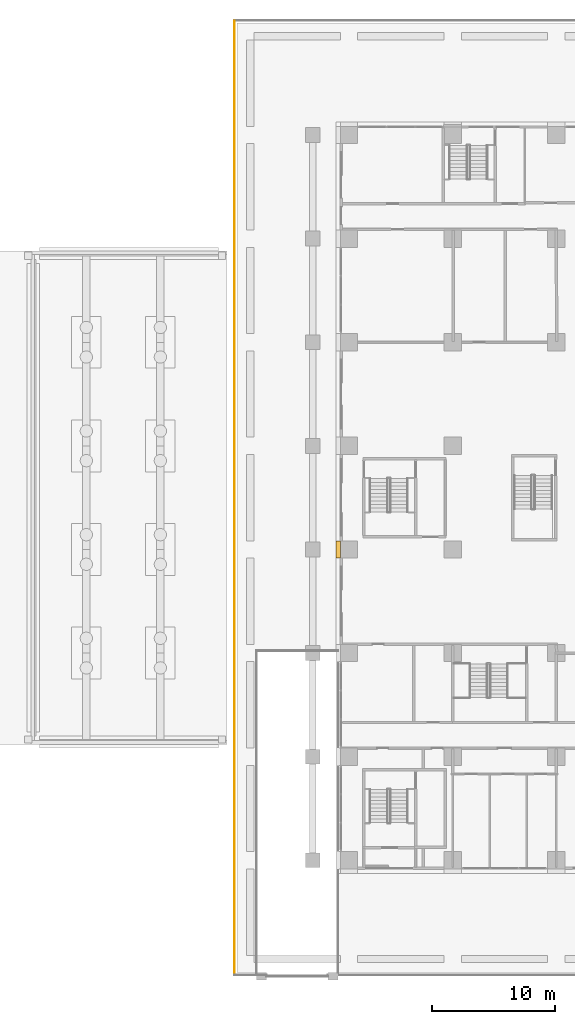
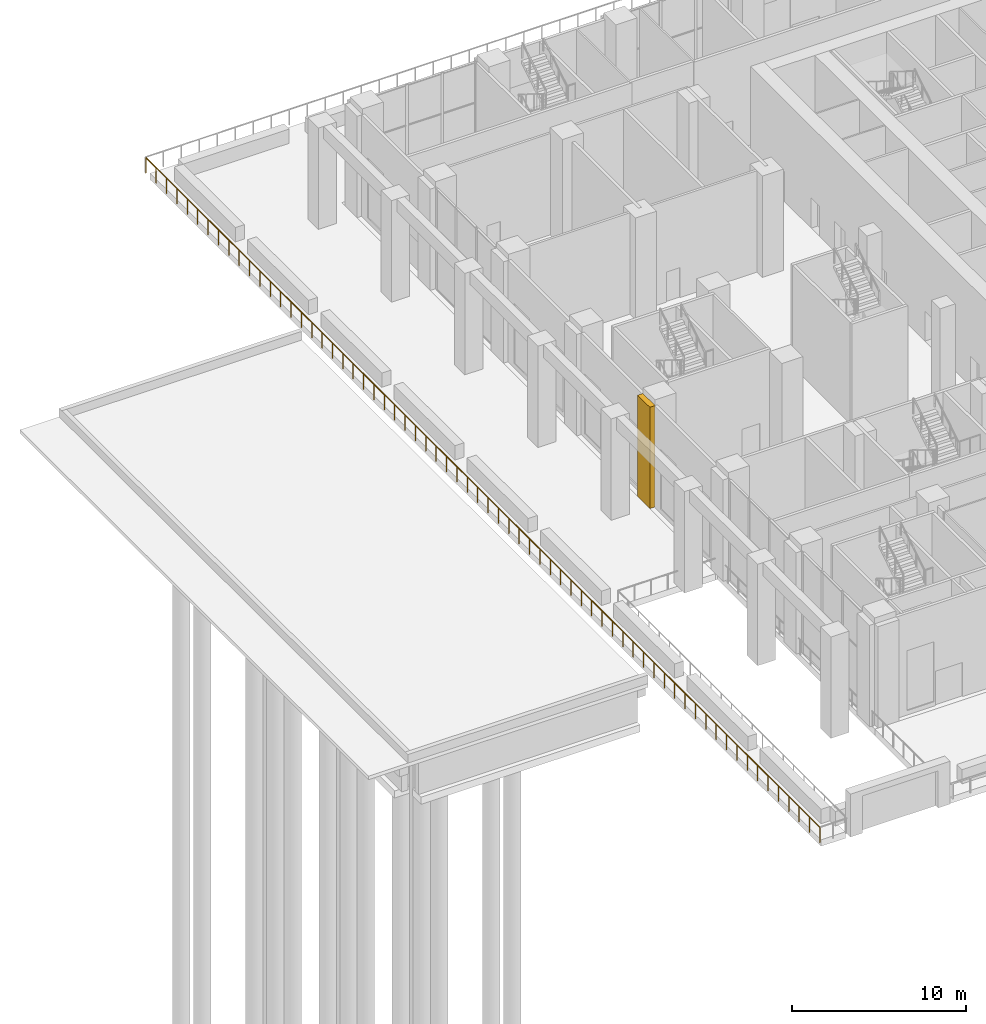
# One storey, part 39 of 53: 1 covering, 1 railing.
"""IFC4 building model written with IfcOpenShell, lengths in metres."""

from ifc_helpers import new_model, si_unit, direction, frame, origin, origin_2d, place, context, subcontext, project, spatial, polyline, rectangle, outline, extrude, material, type_object, element, save


model = new_model("IFC4")

# Units and contexts
model_context = context("Model", 3, precision=1e-05, world=origin(), true_north=direction((0.0, 1.0)))
body_context = subcontext(model_context, "Body", "Model", "MODEL_VIEW")
ifc_project = project(units=[si_unit("LENGTHUNIT", "METRE"), si_unit("AREAUNIT", "SQUARE_METRE"), si_unit("VOLUMEUNIT", "CUBIC_METRE"), si_unit("PLANEANGLEUNIT", "RADIAN"), si_unit("MASSUNIT", "GRAM", prefix="KILO")], contexts=[model_context])

# Site, building, storey
site_placement = place(None, origin())
site = spatial("IfcSite", under=ifc_project, at=site_placement, CompositionType="ELEMENT")
building_placement = place(site_placement, origin())
building = spatial("IfcBuilding", under=site, at=building_placement, Name="Vermilion Ogive Tower", CompositionType="ELEMENT")
storey_placement = place(building_placement, origin())
storey = spatial("IfcBuildingStorey", under=building, at=storey_placement, Name="L00", CompositionType="ELEMENT", Elevation=0.0)

# Covering
ifc_material_1 = material(Name="Stone cladding", Category="masonry")
covering_type = type_object("IfcCoveringType", Name="Stone pier", PredefinedType="CLADDING", material=ifc_material_1)
covering_placement = place(storey_placement, origin())
element("IfcCovering", 1, at=covering_placement, inside=storey, type_object=covering_type, Name="Stone pier P-336-042", PredefinedType="CLADDING", context=body_context, shape_type="SweptSolid", body=[
    extrude(outline(polyline([(-34.300048828125, -4.89990234375), (-34.64990234375, -4.89990234375), (-34.64990234375, -3.5), (-34.300048828125, -3.5), (-34.300048828125, -4.89990234375), (-34.300048828125, -4.89990234375)])), origin(), (0.0, 0.0, 1.0), 7.10009765625),
])

# Railing
ifc_material_2 = material(Name="Stainless steel and glass", Category="steel")
railing_type = type_object("IfcRailingType", Name="Terrace guard", PredefinedType="GUARDRAIL", material=ifc_material_2)
railing_placement = place(storey_placement, frame((-42.89990234375, -38.699951171875, 0.0)))
element("IfcRailing", 2, at=railing_placement, inside=storey, type_object=railing_type, Name="Terrace guard 1.1.5", PredefinedType="GUARDRAIL", context=body_context, shape_type="SweptSolid", body=[
    extrude(rectangle(XDim=0.048095703125, YDim=0.048095703125, at=origin_2d()), frame((0.0, 0.0, 1.076171875), z_axis=(0.0, 1.0, 0.0), x_axis=(-1.0, 0.0, 0.0)), (0.0, 0.0, 1.0), 77.33984375),
    extrude(rectangle(XDim=0.0419921875, YDim=0.0419921875, at=origin_2d()), origin(), (0.0, 0.0, 1.0), 1.052001953125),
    extrude(rectangle(XDim=0.0419921875, YDim=0.0419921875, at=origin_2d()), frame((0.0, 1.18994140625, 0.0)), (0.0, 0.0, 1.0), 1.052001953125),
    extrude(rectangle(XDim=0.0419921875, YDim=0.0419921875, at=origin_2d()), frame((0.0, 2.379638671875, 0.0)), (0.0, 0.0, 1.0), 1.052001953125),
    extrude(rectangle(XDim=0.0419921875, YDim=0.0419921875, at=origin_2d()), frame((0.0, 3.569580078125, 0.0)), (0.0, 0.0, 1.0), 1.052001953125),
    extrude(rectangle(XDim=0.0419921875, YDim=0.0419921875, at=origin_2d()), frame((0.0, 4.75927734375, 0.0)), (0.0, 0.0, 1.0), 1.052001953125),
    extrude(rectangle(XDim=0.0419921875, YDim=0.0419921875, at=origin_2d()), frame((0.0, 5.94921875, 0.0)), (0.0, 0.0, 1.0), 1.052001953125),
    extrude(rectangle(XDim=0.0419921875, YDim=0.0419921875, at=origin_2d()), frame((0.0, 7.13916015625, 0.0)), (0.0, 0.0, 1.0), 1.052001953125),
    extrude(rectangle(XDim=0.0419921875, YDim=0.0419921875, at=origin_2d()), frame((0.0, 8.328857421875, 0.0)), (0.0, 0.0, 1.0), 1.052001953125),
    extrude(rectangle(XDim=0.0419921875, YDim=0.0419921875, at=origin_2d()), frame((0.0, 9.518798828125, 0.0)), (0.0, 0.0, 1.0), 1.052001953125),
    extrude(rectangle(XDim=0.0419921875, YDim=0.0419921875, at=origin_2d()), frame((0.0, 10.70849609375, 0.0)), (0.0, 0.0, 1.0), 1.052001953125),
    extrude(rectangle(XDim=0.0419921875, YDim=0.0419921875, at=origin_2d()), frame((0.0, 11.8984375, 0.0)), (0.0, 0.0, 1.0), 1.052001953125),
    extrude(rectangle(XDim=0.0419921875, YDim=0.0419921875, at=origin_2d()), frame((0.0, 13.08837890625, 0.0)), (0.0, 0.0, 1.0), 1.052001953125),
    extrude(rectangle(XDim=0.0419921875, YDim=0.0419921875, at=origin_2d()), frame((0.0, 14.278076171875, 0.0)), (0.0, 0.0, 1.0), 1.052001953125),
    extrude(rectangle(XDim=0.0419921875, YDim=0.0419921875, at=origin_2d()), frame((0.0, 15.468017578125, 0.0)), (0.0, 0.0, 1.0), 1.052001953125),
    extrude(rectangle(XDim=0.0419921875, YDim=0.0419921875, at=origin_2d()), frame((0.0, 16.65771484375, 0.0)), (0.0, 0.0, 1.0), 1.052001953125),
    extrude(rectangle(XDim=0.0419921875, YDim=0.0419921875, at=origin_2d()), frame((0.0, 17.84765625, 0.0)), (0.0, 0.0, 1.0), 1.052001953125),
    extrude(rectangle(XDim=0.0419921875, YDim=0.0419921875, at=origin_2d()), frame((0.0, 19.03759765625, 0.0)), (0.0, 0.0, 1.0), 1.052001953125),
    extrude(rectangle(XDim=0.0419921875, YDim=0.0419921875, at=origin_2d()), frame((0.0, 20.227294921875, 0.0)), (0.0, 0.0, 1.0), 1.052001953125),
    extrude(rectangle(XDim=0.0419921875, YDim=0.0419921875, at=origin_2d()), frame((0.0, 21.417236328125, 0.0)), (0.0, 0.0, 1.0), 1.052001953125),
    extrude(rectangle(XDim=0.0419921875, YDim=0.0419921875, at=origin_2d()), frame((0.0, 22.60693359375, 0.0)), (0.0, 0.0, 1.0), 1.052001953125),
    extrude(rectangle(XDim=0.0419921875, YDim=0.0419921875, at=origin_2d()), frame((0.0, 23.796875, 0.0)), (0.0, 0.0, 1.0), 1.052001953125),
    extrude(rectangle(XDim=0.0419921875, YDim=0.0419921875, at=origin_2d()), frame((0.0, 24.98681640625, 0.0)), (0.0, 0.0, 1.0), 1.052001953125),
    extrude(rectangle(XDim=0.0419921875, YDim=0.0419921875, at=origin_2d()), frame((0.0, 26.176513671875, 0.0)), (0.0, 0.0, 1.0), 1.052001953125),
    extrude(rectangle(XDim=0.0419921875, YDim=0.0419921875, at=origin_2d()), frame((0.0, 27.366455078125, 0.0)), (0.0, 0.0, 1.0), 1.052001953125),
    extrude(rectangle(XDim=0.0419921875, YDim=0.0419921875, at=origin_2d()), frame((0.0, 28.55615234375, 0.0)), (0.0, 0.0, 1.0), 1.052001953125),
    extrude(rectangle(XDim=0.0419921875, YDim=0.0419921875, at=origin_2d()), frame((0.0, 29.74609375, 0.0)), (0.0, 0.0, 1.0), 1.052001953125),
    extrude(rectangle(XDim=0.0419921875, YDim=0.0419921875, at=origin_2d()), frame((0.0, 30.93603515625, 0.0)), (0.0, 0.0, 1.0), 1.052001953125),
    extrude(rectangle(XDim=0.0419921875, YDim=0.0419921875, at=origin_2d()), frame((0.0, 32.125732421875, 0.0)), (0.0, 0.0, 1.0), 1.052001953125),
    extrude(rectangle(XDim=0.0419921875, YDim=0.0419921875, at=origin_2d()), frame((0.0, 33.315673828125, 0.0)), (0.0, 0.0, 1.0), 1.052001953125),
    extrude(rectangle(XDim=0.0419921875, YDim=0.0419921875, at=origin_2d()), frame((0.0, 34.50537109375, 0.0)), (0.0, 0.0, 1.0), 1.052001953125),
    extrude(rectangle(XDim=0.0419921875, YDim=0.0419921875, at=origin_2d()), frame((0.0, 35.6953125, 0.0)), (0.0, 0.0, 1.0), 1.052001953125),
    extrude(rectangle(XDim=0.0419921875, YDim=0.0419921875, at=origin_2d()), frame((0.0, 36.88525390625, 0.0)), (0.0, 0.0, 1.0), 1.052001953125),
    extrude(rectangle(XDim=0.0419921875, YDim=0.0419921875, at=origin_2d()), frame((0.0, 38.074951171875, 0.0)), (0.0, 0.0, 1.0), 1.052001953125),
    extrude(rectangle(XDim=0.0419921875, YDim=0.0419921875, at=origin_2d()), frame((0.0, 39.264892578125, 0.0)), (0.0, 0.0, 1.0), 1.052001953125),
    extrude(rectangle(XDim=0.0419921875, YDim=0.0419921875, at=origin_2d()), frame((0.0, 40.45458984375, 0.0)), (0.0, 0.0, 1.0), 1.052001953125),
    extrude(rectangle(XDim=0.0419921875, YDim=0.0419921875, at=origin_2d()), frame((0.0, 41.64453125, 0.0)), (0.0, 0.0, 1.0), 1.052001953125),
    extrude(rectangle(XDim=0.0419921875, YDim=0.0419921875, at=origin_2d()), frame((0.0, 42.83447265625, 0.0)), (0.0, 0.0, 1.0), 1.052001953125),
    extrude(rectangle(XDim=0.0419921875, YDim=0.0419921875, at=origin_2d()), frame((0.0, 44.024169921875, 0.0)), (0.0, 0.0, 1.0), 1.052001953125),
    extrude(rectangle(XDim=0.0419921875, YDim=0.0419921875, at=origin_2d()), frame((0.0, 45.214111328125, 0.0)), (0.0, 0.0, 1.0), 1.052001953125),
    extrude(rectangle(XDim=0.0419921875, YDim=0.0419921875, at=origin_2d()), frame((0.0, 46.40380859375, 0.0)), (0.0, 0.0, 1.0), 1.052001953125),
    extrude(rectangle(XDim=0.0419921875, YDim=0.0419921875, at=origin_2d()), frame((0.0, 47.59375, 0.0)), (0.0, 0.0, 1.0), 1.052001953125),
    extrude(rectangle(XDim=0.0419921875, YDim=0.0419921875, at=origin_2d()), frame((0.0, 48.78369140625, 0.0)), (0.0, 0.0, 1.0), 1.052001953125),
    extrude(rectangle(XDim=0.0419921875, YDim=0.0419921875, at=origin_2d()), frame((0.0, 49.973388671875, 0.0)), (0.0, 0.0, 1.0), 1.052001953125),
    extrude(rectangle(XDim=0.0419921875, YDim=0.0419921875, at=origin_2d()), frame((0.0, 51.163330078125, 0.0)), (0.0, 0.0, 1.0), 1.052001953125),
    extrude(rectangle(XDim=0.0419921875, YDim=0.0419921875, at=origin_2d()), frame((0.0, 52.35302734375, 0.0)), (0.0, 0.0, 1.0), 1.052001953125),
    extrude(rectangle(XDim=0.0419921875, YDim=0.0419921875, at=origin_2d()), frame((0.0, 53.54296875, 0.0)), (0.0, 0.0, 1.0), 1.052001953125),
    extrude(rectangle(XDim=0.0419921875, YDim=0.0419921875, at=origin_2d()), frame((0.0, 54.73291015625, 0.0)), (0.0, 0.0, 1.0), 1.052001953125),
    extrude(rectangle(XDim=0.0419921875, YDim=0.0419921875, at=origin_2d()), frame((0.0, 55.922607421875, 0.0)), (0.0, 0.0, 1.0), 1.052001953125),
    extrude(rectangle(XDim=0.0419921875, YDim=0.0419921875, at=origin_2d()), frame((0.0, 57.112548828125, 0.0)), (0.0, 0.0, 1.0), 1.052001953125),
    extrude(rectangle(XDim=0.0419921875, YDim=0.0419921875, at=origin_2d()), frame((0.0, 58.30224609375, 0.0)), (0.0, 0.0, 1.0), 1.052001953125),
    extrude(rectangle(XDim=0.0419921875, YDim=0.0419921875, at=origin_2d()), frame((0.0, 59.4921875, 0.0)), (0.0, 0.0, 1.0), 1.052001953125),
    extrude(rectangle(XDim=0.0419921875, YDim=0.0419921875, at=origin_2d()), frame((0.0, 60.68212890625, 0.0)), (0.0, 0.0, 1.0), 1.052001953125),
    extrude(rectangle(XDim=0.0419921875, YDim=0.0419921875, at=origin_2d()), frame((0.0, 61.871826171875, 0.0)), (0.0, 0.0, 1.0), 1.052001953125),
    extrude(rectangle(XDim=0.0419921875, YDim=0.0419921875, at=origin_2d()), frame((0.0, 63.061767578125, 0.0)), (0.0, 0.0, 1.0), 1.052001953125),
    extrude(rectangle(XDim=0.0419921875, YDim=0.0419921875, at=origin_2d()), frame((0.0, 64.25146484375, 0.0)), (0.0, 0.0, 1.0), 1.052001953125),
    extrude(rectangle(XDim=0.0419921875, YDim=0.0419921875, at=origin_2d()), frame((0.0, 65.44140625, 0.0)), (0.0, 0.0, 1.0), 1.052001953125),
    extrude(rectangle(XDim=0.0419921875, YDim=0.0419921875, at=origin_2d()), frame((0.0, 66.63134765625, 0.0)), (0.0, 0.0, 1.0), 1.052001953125),
    extrude(rectangle(XDim=0.0419921875, YDim=0.0419921875, at=origin_2d()), frame((0.0, 67.821044921875, 0.0)), (0.0, 0.0, 1.0), 1.052001953125),
    extrude(rectangle(XDim=0.0419921875, YDim=0.0419921875, at=origin_2d()), frame((0.0, 69.010986328125, 0.0)), (0.0, 0.0, 1.0), 1.052001953125),
    extrude(rectangle(XDim=0.0419921875, YDim=0.0419921875, at=origin_2d()), frame((0.0, 70.20068359375, 0.0)), (0.0, 0.0, 1.0), 1.052001953125),
    extrude(rectangle(XDim=0.0419921875, YDim=0.0419921875, at=origin_2d()), frame((0.0, 71.390625, 0.0)), (0.0, 0.0, 1.0), 1.052001953125),
    extrude(rectangle(XDim=0.0419921875, YDim=0.0419921875, at=origin_2d()), frame((0.0, 72.58056640625, 0.0)), (0.0, 0.0, 1.0), 1.052001953125),
    extrude(rectangle(XDim=0.0419921875, YDim=0.0419921875, at=origin_2d()), frame((0.0, 73.770263671875, 0.0)), (0.0, 0.0, 1.0), 1.052001953125),
    extrude(rectangle(XDim=0.0419921875, YDim=0.0419921875, at=origin_2d()), frame((0.0, 74.960205078125, 0.0)), (0.0, 0.0, 1.0), 1.052001953125),
    extrude(rectangle(XDim=0.0419921875, YDim=0.0419921875, at=origin_2d()), frame((0.0, 76.14990234375, 0.0)), (0.0, 0.0, 1.0), 1.052001953125),
    extrude(rectangle(XDim=0.0419921875, YDim=0.0419921875, at=origin_2d()), frame((0.0, 77.33984375, 0.0)), (0.0, 0.0, 1.0), 1.052001953125),
])

save(model, "model.ifc")
